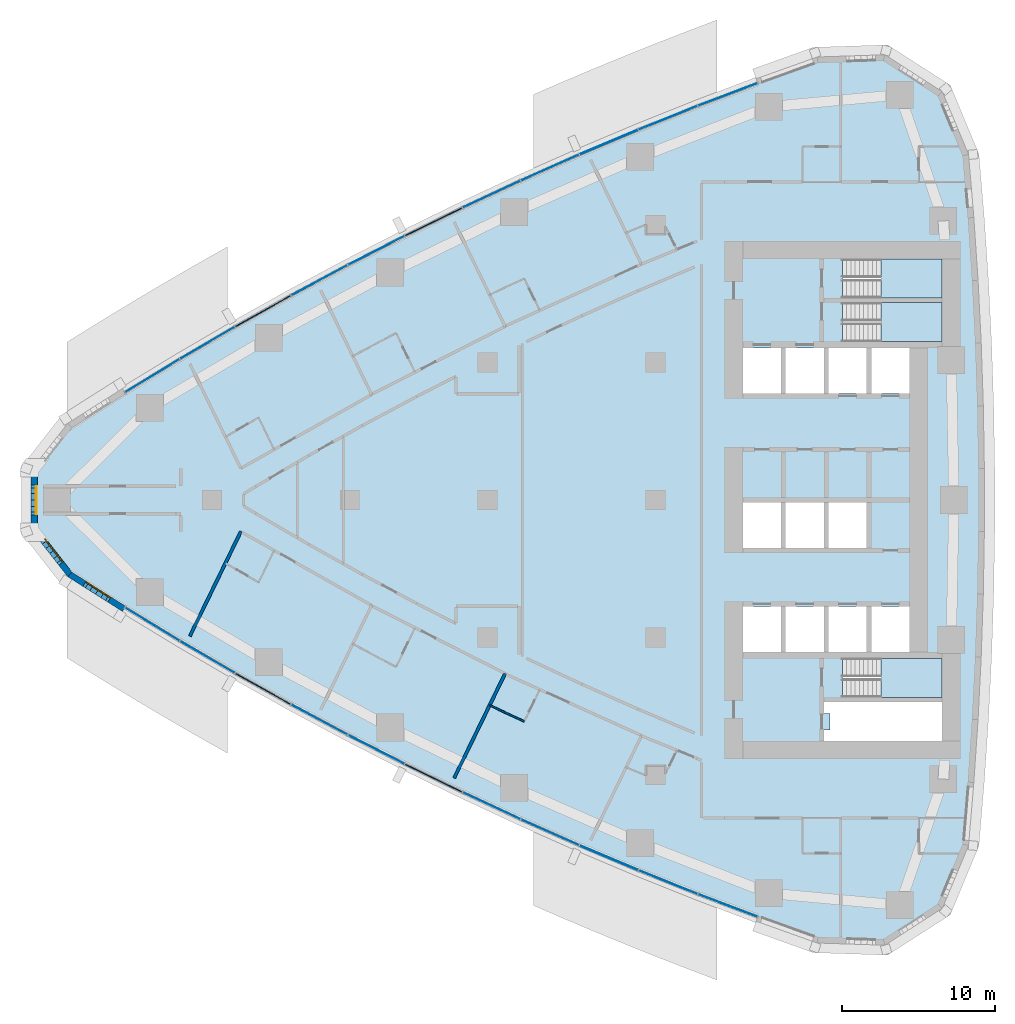
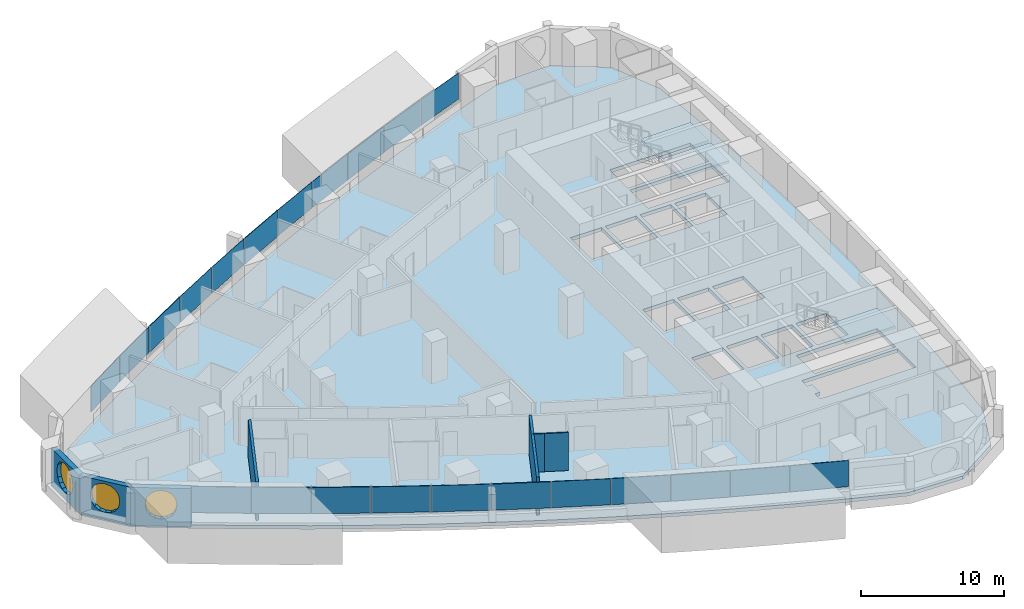
# One storey, part 8 of 18: 22 plates, 7 walls, 4 slabs, 3 windows, 4 openings, 13 elements without a shape of their own.
"""IFC4 building model written with IfcOpenShell, lengths in metres."""

from ifc_helpers import new_model, si_unit, direction, frame, frame_2d, origin, origin_2d, place, context, subcontext, project, spatial, polyline, rectangle, outline, extrude, material, layer, layer_set, type_object, element, fill, aggregate, save


model = new_model("IFC4")

# Units and contexts
model_context = context("Model", 3, precision=1e-05, world=origin(), true_north=direction((0.0, 1.0)))
body_context = subcontext(model_context, "Body", "Model", "MODEL_VIEW")
ifc_project = project(units=[si_unit("LENGTHUNIT", "METRE"), si_unit("AREAUNIT", "SQUARE_METRE"), si_unit("VOLUMEUNIT", "CUBIC_METRE"), si_unit("PLANEANGLEUNIT", "RADIAN"), si_unit("MASSUNIT", "GRAM", prefix="KILO")], contexts=[model_context])

# Site, building, storey
site_placement = place(None, origin())
site = spatial("IfcSite", under=ifc_project, at=site_placement, CompositionType="ELEMENT")
building_placement = place(site_placement, origin())
building = spatial("IfcBuilding", under=site, at=building_placement, Name="Ostrand Prow Hotel Tower", CompositionType="ELEMENT")
storey_placement = place(building_placement, frame((0.0, 0.0, 57.35009765625)))
storey = spatial("IfcBuildingStorey", under=building, at=storey_placement, Name="L12", CompositionType="ELEMENT", Elevation=57.35009765625)

# Curtain wall, plates
ifc_material_1 = material(Name="Insulated glass in bronze anodised frame", Category="glass")
ifc_layer_1 = layer(ifc_material_1, 0.199951171875)
ifc_layer_set_1 = layer_set([ifc_layer_1], Name="Insulated glass in bronze anodised frame")
curtain_wall_type = type_object("IfcCurtainWallType", Name="Strip curtain wall, fritted glass over bronze spandrel", PredefinedType="NOTDEFINED", material=ifc_layer_set_1)
curtain_wall_1_placement = place(storey_placement, origin())
curtain_wall_1 = element("IfcCurtainWall", 1, at=curtain_wall_1_placement, inside=storey, type_object=curtain_wall_type, Name="CW1 run CWS1", PredefinedType="NOTDEFINED")
ifc_material_2 = material(Name="Ceramic-fritted glass", Category="glass")
ifc_layer_2 = layer(ifc_material_2, 0.031982421875)
ifc_layer_set_2 = layer_set([ifc_layer_2], Name="Ceramic-fritted glass")
plate_type_1 = type_object("IfcPlateType", Name="Dot-fritted ceramic glass unit 32 mm", PredefinedType="CURTAIN_PANEL", material=ifc_layer_set_2)
plate_1_placement = place(storey_placement, frame((12.0859375, -8.12158203125, 1.02001953125), z_axis=(0.0, 0.0, 1.0), x_axis=(0.854269266322, -0.519830761515, 0.0)))
plate_1 = element("IfcPlate", 2, at=plate_1_placement, type_object=plate_type_1, Name="CW1 PN-D panel 1.2", PredefinedType="CURTAIN_PANEL", context=body_context, shape_type="SweptSolid", body=[
    extrude(rectangle(XDim=4.13427734375, YDim=0.031982421875, at=origin_2d()), origin(), (0.0, 0.0, 1.0), 2.22998046875),
])
plate_2_placement = place(storey_placement, frame((15.688720703125, -10.268798828125, 1.02001953125), z_axis=(0.0, 0.0, 1.0), x_axis=(0.863690392896, -0.50402272292, 0.0)))
plate_2 = element("IfcPlate", 3, at=plate_2_placement, type_object=plate_type_1, Name="CW1 PN-D panel 2.2", PredefinedType="CURTAIN_PANEL", context=body_context, shape_type="SweptSolid", body=[
    extrude(rectangle(XDim=4.13427734375, YDim=0.031982421875, at=origin_2d()), origin(), (0.0, 0.0, 1.0), 2.22998046875),
])
aggregate(curtain_wall_1, [plate_1, plate_2])

curtain_wall_2_placement = place(storey_placement, origin())
curtain_wall_2 = element("IfcCurtainWall", 4, at=curtain_wall_2_placement, inside=storey, type_object=curtain_wall_type, Name="CW1 run CWS2", PredefinedType="NOTDEFINED")
plate_3_placement = place(storey_placement, frame((23.009765625, -14.362548828125, 1.02001953125), z_axis=(0.0, 0.0, 1.0), x_axis=(0.881652083929, -0.471899992481, 0.0)))
plate_3 = element("IfcPlate", 5, at=plate_3_placement, type_object=plate_type_1, Name="CW1 PN-D panel 2.2", PredefinedType="CURTAIN_PANEL", context=body_context, shape_type="SweptSolid", body=[
    extrude(rectangle(XDim=4.13427734375, YDim=0.031982421875, at=origin_2d()), origin(), (0.0, 0.0, 1.0), 2.22998046875),
])
plate_4_placement = place(storey_placement, frame((26.7255859375, -16.3076171875, 1.02001953125), z_axis=(0.0, 0.0, 1.0), x_axis=(0.890186565631, -0.455596179055, 0.0)))
plate_4 = element("IfcPlate", 6, at=plate_4_placement, type_object=plate_type_1, Name="CW1 PN-D panel 3.2", PredefinedType="CURTAIN_PANEL", context=body_context, shape_type="SweptSolid", body=[
    extrude(rectangle(XDim=4.13427734375, YDim=0.031982421875, at=origin_2d()), origin(), (0.0, 0.0, 1.0), 2.22998046875),
])

# Curtain wall, plate
curtain_wall_3_placement = place(storey_placement, origin())
curtain_wall_3 = element("IfcCurtainWall", 7, at=curtain_wall_3_placement, inside=storey, type_object=curtain_wall_type, Name="CW1 run CWS3", PredefinedType="NOTDEFINED")
plate_5_placement = place(storey_placement, frame((34.26123046875, -19.990966796875, 1.02001953125), z_axis=(0.0, 0.0, 1.0), x_axis=(0.906349088757, -0.422529678615, 0.0)))
plate_5 = element("IfcPlate", 8, at=plate_5_placement, type_object=plate_type_1, Name="CW1 PN-D panel 2.2", PredefinedType="CURTAIN_PANEL", context=body_context, shape_type="SweptSolid", body=[
    extrude(rectangle(XDim=4.13427734375, YDim=0.031982421875, at=origin_2d()), origin(), (0.0, 0.0, 1.0), 2.22998046875),
])

curtain_wall_4_placement = place(storey_placement, origin())
curtain_wall_4 = element("IfcCurtainWall", 9, at=curtain_wall_4_placement, inside=storey, type_object=curtain_wall_type, Name="CW1 run CWS4", PredefinedType="NOTDEFINED")
plate_6_placement = place(storey_placement, frame((38.078857421875, -21.72802734375, 1.02001953125), z_axis=(0.0, 0.0, 1.0), x_axis=(0.913970890274, -0.405779757666, 0.0)))
plate_6 = element("IfcPlate", 10, at=plate_6_placement, type_object=plate_type_1, Name="CW1 PN-D panel 1.2", PredefinedType="CURTAIN_PANEL", context=body_context, shape_type="SweptSolid", body=[
    extrude(rectangle(XDim=4.13427734375, YDim=0.031982421875, at=origin_2d()), origin(), (0.0, 0.0, 1.0), 2.22998046875),
])

# Curtain wall, plates
curtain_wall_5_placement = place(storey_placement, origin())
curtain_wall_5 = element("IfcCurtainWall", 11, at=curtain_wall_5_placement, inside=storey, type_object=curtain_wall_type, Name="CW1 run CWS5", PredefinedType="NOTDEFINED")
plate_7_placement = place(storey_placement, frame((45.806396484375, -24.989990234375, 1.02001953125), z_axis=(0.0, 0.0, 1.0), x_axis=(0.928283463577, -0.371873380669, 0.0)))
plate_7 = element("IfcPlate", 12, at=plate_7_placement, type_object=plate_type_1, Name="CW1 PN-D panel 1.2", PredefinedType="CURTAIN_PANEL", context=body_context, shape_type="SweptSolid", body=[
    extrude(rectangle(XDim=4.13427734375, YDim=0.031982421875, at=origin_2d()), origin(), (0.0, 0.0, 1.0), 2.22998046875),
])
plate_8_placement = place(storey_placement, frame((49.7138671875, -26.513671875, 1.02001953125), z_axis=(0.0, 0.0, 1.0), x_axis=(0.934969388384, -0.354728407072, 0.0)))
plate_8 = element("IfcPlate", 13, at=plate_8_placement, type_object=plate_type_1, Name="CW1 PN-D panel 2.2", PredefinedType="CURTAIN_PANEL", context=body_context, shape_type="SweptSolid", body=[
    extrude(rectangle(XDim=4.13427734375, YDim=0.031982421875, at=origin_2d()), origin(), (0.0, 0.0, 1.0), 2.22998046875),
])
aggregate(curtain_wall_5, [plate_7, plate_8])

curtain_wall_6_placement = place(storey_placement, origin())
curtain_wall_6 = element("IfcCurtainWall", 14, at=curtain_wall_6_placement, inside=storey, type_object=curtain_wall_type, Name="CW1 run CWN1", PredefinedType="NOTDEFINED")
plate_9_placement = place(storey_placement, frame((49.7138671875, 26.513671875, 1.02001953125), z_axis=(0.0, 0.0, 1.0), x_axis=(-0.934969388384, -0.354728407072, 0.0)))
plate_9 = element("IfcPlate", 15, at=plate_9_placement, type_object=plate_type_1, Name="CW1 PN-D panel 1.2", PredefinedType="CURTAIN_PANEL", context=body_context, shape_type="SweptSolid", body=[
    extrude(rectangle(XDim=4.13427734375, YDim=0.031982421875, at=origin_2d()), origin(), (0.0, 0.0, 1.0), 2.22998046875),
])
plate_10_placement = place(storey_placement, frame((45.806396484375, 24.989990234375, 1.02001953125), z_axis=(0.0, 0.0, 1.0), x_axis=(-0.928283463577, -0.371873380669, 0.0)))
plate_10 = element("IfcPlate", 16, at=plate_10_placement, type_object=plate_type_1, Name="CW1 PN-D panel 2.2", PredefinedType="CURTAIN_PANEL", context=body_context, shape_type="SweptSolid", body=[
    extrude(rectangle(XDim=4.13427734375, YDim=0.031982421875, at=origin_2d()), origin(), (0.0, 0.0, 1.0), 2.22998046875),
])
aggregate(curtain_wall_6, [plate_9, plate_10])

# Curtain wall, plate
curtain_wall_7_placement = place(storey_placement, origin())
curtain_wall_7 = element("IfcCurtainWall", 17, at=curtain_wall_7_placement, inside=storey, type_object=curtain_wall_type, Name="CW1 run CWN2", PredefinedType="NOTDEFINED")
plate_11_placement = place(storey_placement, frame((38.078857421875, 21.72802734375, 1.02001953125), z_axis=(0.0, 0.0, 1.0), x_axis=(-0.913970890274, -0.405779757666, 0.0)))
plate_11 = element("IfcPlate", 18, at=plate_11_placement, type_object=plate_type_1, Name="CW1 PN-D panel 2.2", PredefinedType="CURTAIN_PANEL", context=body_context, shape_type="SweptSolid", body=[
    extrude(rectangle(XDim=4.13427734375, YDim=0.031982421875, at=origin_2d()), origin(), (0.0, 0.0, 1.0), 2.22998046875),
])

curtain_wall_8_placement = place(storey_placement, origin())
curtain_wall_8 = element("IfcCurtainWall", 19, at=curtain_wall_8_placement, inside=storey, type_object=curtain_wall_type, Name="CW1 run CWN3", PredefinedType="NOTDEFINED")
plate_12_placement = place(storey_placement, frame((34.26123046875, 19.990966796875, 1.02001953125), z_axis=(0.0, 0.0, 1.0), x_axis=(-0.906349088757, -0.422529678615, 0.0)))
plate_12 = element("IfcPlate", 20, at=plate_12_placement, type_object=plate_type_1, Name="CW1 PN-D panel 1.2", PredefinedType="CURTAIN_PANEL", context=body_context, shape_type="SweptSolid", body=[
    extrude(rectangle(XDim=4.13427734375, YDim=0.031982421875, at=origin_2d()), origin(), (0.0, 0.0, 1.0), 2.22998046875),
])

# Curtain wall, plates
curtain_wall_9_placement = place(storey_placement, origin())
curtain_wall_9 = element("IfcCurtainWall", 21, at=curtain_wall_9_placement, inside=storey, type_object=curtain_wall_type, Name="CW1 run CWN4", PredefinedType="NOTDEFINED")
plate_13_placement = place(storey_placement, frame((26.7255859375, 16.3076171875, 1.02001953125), z_axis=(0.0, 0.0, 1.0), x_axis=(-0.890186565631, -0.455596179055, 0.0)))
plate_13 = element("IfcPlate", 22, at=plate_13_placement, type_object=plate_type_1, Name="CW1 PN-D panel 1.2", PredefinedType="CURTAIN_PANEL", context=body_context, shape_type="SweptSolid", body=[
    extrude(rectangle(XDim=4.13427734375, YDim=0.031982421875, at=origin_2d()), origin(), (0.0, 0.0, 1.0), 2.22998046875),
])
plate_14_placement = place(storey_placement, frame((23.009765625, 14.362548828125, 1.02001953125), z_axis=(0.0, 0.0, 1.0), x_axis=(-0.881652083929, -0.471899992481, 0.0)))
plate_14 = element("IfcPlate", 23, at=plate_14_placement, type_object=plate_type_1, Name="CW1 PN-D panel 2.2", PredefinedType="CURTAIN_PANEL", context=body_context, shape_type="SweptSolid", body=[
    extrude(rectangle(XDim=4.13427734375, YDim=0.031982421875, at=origin_2d()), origin(), (0.0, 0.0, 1.0), 2.22998046875),
])

curtain_wall_10_placement = place(storey_placement, origin())
curtain_wall_10 = element("IfcCurtainWall", 24, at=curtain_wall_10_placement, inside=storey, type_object=curtain_wall_type, Name="CW1 run CWN5", PredefinedType="NOTDEFINED")
plate_15_placement = place(storey_placement, frame((15.688720703125, 10.268798828125, 1.02001953125), z_axis=(0.0, 0.0, 1.0), x_axis=(-0.863690392896, -0.50402272292, 0.0)))
plate_15 = element("IfcPlate", 25, at=plate_15_placement, type_object=plate_type_1, Name="CW1 PN-D panel 1.2", PredefinedType="CURTAIN_PANEL", context=body_context, shape_type="SweptSolid", body=[
    extrude(rectangle(XDim=4.13427734375, YDim=0.031982421875, at=origin_2d()), origin(), (0.0, 0.0, 1.0), 2.22998046875),
])
plate_16_placement = place(storey_placement, frame((12.0859375, 8.12158203125, 1.02001953125), z_axis=(0.0, 0.0, 1.0), x_axis=(-0.854269266322, -0.519830761515, 0.0)))
plate_16 = element("IfcPlate", 26, at=plate_16_placement, type_object=plate_type_1, Name="CW1 PN-D panel 2.2", PredefinedType="CURTAIN_PANEL", context=body_context, shape_type="SweptSolid", body=[
    extrude(rectangle(XDim=4.13427734375, YDim=0.031982421875, at=origin_2d()), origin(), (0.0, 0.0, 1.0), 2.22998046875),
])
aggregate(curtain_wall_10, [plate_15, plate_16])

# Plate
ifc_material_3 = material(Name="Fritted glass in bronze vent frame", Category="glass")
ifc_layer_3 = layer(ifc_material_3, 0.06005859375)
ifc_layer_set_3 = layer_set([ifc_layer_3], Name="Fritted glass in bronze vent frame")
plate_type_2 = type_object("IfcPlateType", Name="Operable vent panel 60 mm", PredefinedType="CURTAIN_PANEL", material=ifc_layer_set_3)
plate_17_placement = place(storey_placement, frame((19.33056640625, -12.349365234375, 1.02001953125), z_axis=(0.0, 0.0, 1.0), x_axis=(0.872819029241, -0.488043996167, 0.0)))
plate_17 = element("IfcPlate", 27, at=plate_17_placement, type_object=plate_type_2, Name="CW1 PN-O panel 1.2", PredefinedType="CURTAIN_PANEL", context=body_context, shape_type="SweptSolid", body=[
    extrude(rectangle(XDim=4.13427734375, YDim=0.06005859375, at=origin_2d()), origin(), (0.0, 0.0, 1.0), 2.22998046875),
])

aggregate(curtain_wall_2, [plate_17, plate_3, plate_4])

plate_18_placement = place(storey_placement, frame((30.4765625, -18.183837890625, 1.02001953125), z_axis=(0.0, 0.0, 1.0), x_axis=(0.898419584131, -0.439138077204, 0.0)))
plate_18 = element("IfcPlate", 28, at=plate_18_placement, type_object=plate_type_2, Name="CW1 PN-O panel 1.2", PredefinedType="CURTAIN_PANEL", context=body_context, shape_type="SweptSolid", body=[
    extrude(rectangle(XDim=4.13427734375, YDim=0.06005859375, at=origin_2d()), origin(), (0.0, 0.0, 1.0), 2.22998046875),
])

aggregate(curtain_wall_3, [plate_18, plate_5])

plate_19_placement = place(storey_placement, frame((41.927490234375, -23.39453125, 1.02001953125), z_axis=(0.0, 0.0, 1.0), x_axis=(0.921283173987, -0.388892418709, 0.0)))
plate_19 = element("IfcPlate", 29, at=plate_19_placement, type_object=plate_type_2, Name="CW1 PN-O panel 2.2", PredefinedType="CURTAIN_PANEL", context=body_context, shape_type="SweptSolid", body=[
    extrude(rectangle(XDim=4.13427734375, YDim=0.06005859375, at=origin_2d()), origin(), (0.0, 0.0, 1.0), 2.22998046875),
])

aggregate(curtain_wall_4, [plate_6, plate_19])

plate_20_placement = place(storey_placement, frame((41.927490234375, 23.39453125, 1.02001953125), z_axis=(0.0, 0.0, 1.0), x_axis=(-0.921283173987, -0.388892418709, 0.0)))
plate_20 = element("IfcPlate", 30, at=plate_20_placement, type_object=plate_type_2, Name="CW1 PN-O panel 1.2", PredefinedType="CURTAIN_PANEL", context=body_context, shape_type="SweptSolid", body=[
    extrude(rectangle(XDim=4.13427734375, YDim=0.06005859375, at=origin_2d()), origin(), (0.0, 0.0, 1.0), 2.22998046875),
])

aggregate(curtain_wall_7, [plate_20, plate_11])

plate_21_placement = place(storey_placement, frame((30.4765625, 18.183837890625, 1.02001953125), z_axis=(0.0, 0.0, 1.0), x_axis=(-0.898419584131, -0.439138077204, 0.0)))
plate_21 = element("IfcPlate", 31, at=plate_21_placement, type_object=plate_type_2, Name="CW1 PN-O panel 2.2", PredefinedType="CURTAIN_PANEL", context=body_context, shape_type="SweptSolid", body=[
    extrude(rectangle(XDim=4.13427734375, YDim=0.06005859375, at=origin_2d()), origin(), (0.0, 0.0, 1.0), 2.22998046875),
])

aggregate(curtain_wall_8, [plate_12, plate_21])

plate_22_placement = place(storey_placement, frame((19.33056640625, 12.349365234375, 1.02001953125), z_axis=(0.0, 0.0, 1.0), x_axis=(-0.872819029241, -0.488043996167, 0.0)))
plate_22 = element("IfcPlate", 32, at=plate_22_placement, type_object=plate_type_2, Name="CW1 PN-O panel 3.2", PredefinedType="CURTAIN_PANEL", context=body_context, shape_type="SweptSolid", body=[
    extrude(rectangle(XDim=4.13427734375, YDim=0.06005859375, at=origin_2d()), origin(), (0.0, 0.0, 1.0), 2.22998046875),
])

aggregate(curtain_wall_9, [plate_13, plate_14, plate_22])

# Slab, opening
ifc_material_4 = material(Name="Concrete C40/50", Category="concrete")
ifc_layer_4 = layer(ifc_material_4, 0.300048828125)
ifc_layer_set_4 = layer_set([ifc_layer_4], Name="Concrete C40/50")
slab_type_1 = type_object("IfcSlabType", Name="PT flat plate 300 C40/50", PredefinedType="FLOOR", material=ifc_layer_set_4)
slab_1_placement = place(storey_placement, frame((0.0, 0.0, -0.300048828125)))
slab_1 = element("IfcSlab", 33, at=slab_1_placement, inside=storey, type_object=slab_type_1, Name="Floor slab L12-1", PredefinedType="FLOOR", context=body_context, shape_type="SweptSolid", body=[
    extrude(outline(polyline([(6.690673828125, 4.805908203125), (10.26806640625, 7.073974609375), (13.851806640625, 9.2548828125), (17.47509765625, 11.369384765625), (21.136962890625, 13.416748046875), (24.83544921875, 15.396484375), (28.570068359375, 17.3076171875), (32.339111328125, 19.14990234375), (36.141357421875, 20.922607421875), (39.9755859375, 22.625), (43.840576171875, 24.25634765625), (47.73486328125, 25.81640625), (51.6572265625, 27.3046875), (55.64111328125, 28.73291015625), (59.92333984375, 28.873046875), (63.55908203125, 26.53369140625), (65.2060546875, 22.578369140625), (65.552978515625, 18.45166015625), (65.828369140625, 14.356689453125), (66.034912109375, 10.2578125), (66.172607421875, 6.15576171875), (66.241455078125, 2.052001953125), (66.241455078125, -2.052001953125), (66.172607421875, -6.15576171875), (66.034912109375, -10.2578125), (65.828369140625, -14.356689453125), (65.552978515625, -18.45166015625), (65.2060546875, -22.578369140625), (63.55908203125, -26.53369140625), (59.92333984375, -28.873046875), (55.64111328125, -28.73291015625), (51.6572265625, -27.3046875), (47.73486328125, -25.81640625), (43.840576171875, -24.25634765625), (39.9755859375, -22.625), (36.141357421875, -20.922607421875), (32.339111328125, -19.14990234375), (28.570068359375, -17.3076171875), (24.83544921875, -15.396484375), (21.136962890625, -13.416748046875), (17.47509765625, -11.369384765625), (13.851806640625, -9.2548828125), (10.26806640625, -7.073974609375), (6.690673828125, -4.805908203125), (4.399169921875, -1.8798828125), (4.399169921875, 1.8798828125), (6.690673828125, 4.805908203125)]), holes=[polyline([(50.699951171875, 6.949951171875), (53.199951171875, 6.949951171875), (53.199951171875, 9.949951171875), (50.699951171875, 9.949951171875), (50.699951171875, 6.949951171875)]), polyline([(53.5, 6.949951171875), (56.0, 6.949951171875), (56.0, 9.949951171875), (53.5, 9.949951171875), (53.5, 6.949951171875)]), polyline([(56.300048828125, 6.949951171875), (58.800048828125, 6.949951171875), (58.800048828125, 9.949951171875), (56.300048828125, 9.949951171875), (56.300048828125, 6.949951171875)]), polyline([(59.10009765625, 6.949951171875), (61.60009765625, 6.949951171875), (61.60009765625, 9.949951171875), (59.10009765625, 9.949951171875), (59.10009765625, 6.949951171875)]), polyline([(50.699951171875, -3.14990234375), (53.199951171875, -3.14990234375), (53.199951171875, -0.14990234375), (50.699951171875, -0.14990234375), (50.699951171875, -3.14990234375)]), polyline([(53.5, -3.14990234375), (56.0, -3.14990234375), (56.0, -0.14990234375), (53.5, -0.14990234375), (53.5, -3.14990234375)]), polyline([(56.300048828125, -3.14990234375), (58.800048828125, -3.14990234375), (58.800048828125, -0.14990234375), (56.300048828125, -0.14990234375), (56.300048828125, -3.14990234375)]), polyline([(50.699951171875, -9.949951171875), (53.199951171875, -9.949951171875), (53.199951171875, -6.949951171875), (50.699951171875, -6.949951171875), (50.699951171875, -9.949951171875)]), polyline([(53.5, -9.949951171875), (56.0, -9.949951171875), (56.0, -6.949951171875), (53.5, -6.949951171875), (53.5, -9.949951171875)]), polyline([(56.300048828125, -9.949951171875), (58.800048828125, -9.949951171875), (58.800048828125, -6.949951171875), (56.300048828125, -6.949951171875), (56.300048828125, -9.949951171875)]), polyline([(59.10009765625, -9.949951171875), (61.60009765625, -9.949951171875), (61.60009765625, -6.949951171875), (59.10009765625, -6.949951171875), (59.10009765625, -9.949951171875)]), polyline([(57.200927734375, 10.35107421875), (57.200927734375, 12.89892578125), (63.718994140625, 12.89892578125), (63.718994140625, 10.35107421875), (57.200927734375, 10.35107421875)]), polyline([(57.200927734375, 13.200927734375), (57.200927734375, 15.7490234375), (63.718994140625, 15.7490234375), (63.718994140625, 13.200927734375), (57.200927734375, 13.200927734375)]), polyline([(57.200927734375, -12.89892578125), (57.200927734375, -10.35107421875), (63.718994140625, -10.35107421875), (63.718994140625, -12.89892578125), (57.200927734375, -12.89892578125)]), polyline([(56.0, -13.199951171875), (63.719970703125, -13.199951171875), (63.719970703125, -15.75), (56.0, -15.75), (56.0, -15.050048828125), (56.39990234375, -15.050048828125), (56.39990234375, -13.949951171875), (56.0, -13.949951171875), (56.0, -13.199951171875)])]), origin(), (0.0, 0.0, 1.0), 0.300048828125),
])
opening_1_placement = place(slab_1_placement, origin())
element("IfcOpeningElement", 34, at=opening_1_placement, cuts=slab_1, Name="Shaft opening 1", PredefinedType="OPENING", context=body_context, shape_type="SweptSolid", body=[
    extrude(outline(polyline([(56.0, -13.199951171875), (63.719970703125, -13.199951171875), (63.719970703125, -15.75), (56.0, -15.75), (56.0, -15.050048828125), (56.39990234375, -15.050048828125), (56.39990234375, -13.949951171875), (56.0, -13.949951171875), (56.0, -13.199951171875)])), origin(), (0.0, 0.0, 1.0), 0.300048828125),
])

# Stair, slab
ifc_material_5 = material(Name="Concrete C40/50", Category="concrete")
stair_type = type_object("IfcStairType", Name="Exit stair 1200 upper zone", PredefinedType="HALF_TURN_STAIR", material=ifc_material_5)
stair_1_placement = place(storey_placement, origin())
stair_1 = element("IfcStair", 35, at=stair_1_placement, inside=storey, type_object=stair_type, Name="L12 ST1C", PredefinedType="HALF_TURN_STAIR")
ifc_material_6 = material(Name="Concrete C40/50", Category="concrete")
ifc_layer_5 = layer(ifc_material_6, 0.199951171875)
ifc_layer_set_5 = layer_set([ifc_layer_5], Name="Concrete C40/50")
slab_type_2 = type_object("IfcSlabType", Name="Stair landing 200 concrete", PredefinedType="LANDING", material=ifc_layer_set_5)
slab_2_placement = place(storey_placement, frame((0.0, 0.0, 1.574951171875)))
slab_2 = element("IfcSlab", 36, at=slab_2_placement, type_object=slab_type_2, Name="ST1C landing 1", PredefinedType="LANDING", context=body_context, shape_type="SweptSolid", body=[
    extrude(outline(polyline([(59.719970703125, 10.35009765625), (63.719970703125, 10.35009765625), (63.719970703125, 12.89990234375), (59.719970703125, 12.89990234375), (59.719970703125, 10.35009765625)])), origin(), (0.0, 0.0, 1.0), 0.199951171875),
])
aggregate(stair_1, [slab_2])

stair_2_placement = place(storey_placement, origin())
stair_2 = element("IfcStair", 37, at=stair_2_placement, inside=storey, type_object=stair_type, Name="L12 ST3C", PredefinedType="HALF_TURN_STAIR")
slab_3_placement = place(storey_placement, frame((0.0, 0.0, 1.574951171875)))
slab_3 = element("IfcSlab", 38, at=slab_3_placement, type_object=slab_type_2, Name="ST3C landing 1", PredefinedType="LANDING", context=body_context, shape_type="SweptSolid", body=[
    extrude(outline(polyline([(59.719970703125, 13.199951171875), (63.719970703125, 13.199951171875), (63.719970703125, 15.75), (59.719970703125, 15.75), (59.719970703125, 13.199951171875)])), origin(), (0.0, 0.0, 1.0), 0.199951171875),
])
aggregate(stair_2, [slab_3])

stair_3_placement = place(storey_placement, origin())
stair_3 = element("IfcStair", 39, at=stair_3_placement, inside=storey, type_object=stair_type, Name="L12 ST2C", PredefinedType="HALF_TURN_STAIR")
slab_4_placement = place(storey_placement, frame((0.0, 0.0, 1.574951171875)))
slab_4 = element("IfcSlab", 40, at=slab_4_placement, type_object=slab_type_2, Name="ST2C landing 1", PredefinedType="LANDING", context=body_context, shape_type="SweptSolid", body=[
    extrude(outline(polyline([(59.719970703125, -12.89990234375), (63.719970703125, -12.89990234375), (63.719970703125, -10.35009765625), (59.719970703125, -10.35009765625), (59.719970703125, -12.89990234375)])), origin(), (0.0, 0.0, 1.0), 0.199951171875),
])
aggregate(stair_3, [slab_4])

# Walls
ifc_material_7 = material(Name="Plasterboard partition")
ifc_layer_6 = layer(ifc_material_7, 0.10009765625)
ifc_layer_set_6 = layer_set([ifc_layer_6], Name="Plasterboard partition")
wall_type_1 = type_object("IfcWallType", Name="Partition 100 bathroom wall", PredefinedType="PARTITIONING", material=ifc_layer_set_6)
wall_1_placement = place(storey_placement, frame((36.407958984375, -14.48193359375, 0.0), z_axis=(0.0, 0.0, 1.0), x_axis=(-0.906434605418, 0.422346192242, 0.0)))
element("IfcWall", 41, at=wall_1_placement, inside=storey, type_object=wall_type_1, Name="BATHROOM WALL", PredefinedType="PARTITIONING", context=body_context, shape_type="SweptSolid", body=[
    extrude(rectangle(XDim=1.66064453125, YDim=0.10009765625, at=frame_2d((0.830322265625, 0.0))), origin(), (0.0, 0.0, 1.0), 3.25),
])
wall_2_placement = place(storey_placement, frame((34.902587890625, -13.780517578125, 0.0), z_axis=(0.0, 0.0, 1.0), x_axis=(-0.89828999443, 0.43940310184, 0.0)))
element("IfcWall", 42, at=wall_2_placement, inside=storey, type_object=wall_type_1, Name="BATHROOM WALL", PredefinedType="PARTITIONING", context=body_context, shape_type="SweptSolid", body=[
    extrude(rectangle(XDim=0.839599609375, YDim=0.10009765625, at=frame_2d((0.419921875, 0.0))), origin(), (0.0, 0.0, 1.0), 3.25),
])
ifc_material_8 = material(Name="Plasterboard partition")
ifc_layer_7 = layer(ifc_material_8, 0.199951171875)
ifc_layer_set_7 = layer_set([ifc_layer_7], Name="Plasterboard partition")
wall_type_2 = type_object("IfcWallType", Name="Partition 200 key partition", PredefinedType="PARTITIONING", material=ifc_layer_set_7)
wall_3_placement = place(storey_placement, frame((14.540771484375, -8.904296875, 0.0), z_axis=(0.0, 0.0, 1.0), x_axis=(0.438213564788, 0.898870887078, 0.0)))
element("IfcWall", 43, at=wall_3_placement, inside=storey, type_object=wall_type_2, Name="KEY PARTITION", PredefinedType="PARTITIONING", context=body_context, shape_type="SweptSolid", body=[
    extrude(rectangle(XDim=7.62548828125, YDim=0.199951171875, at=frame_2d((3.812744140625, 0.0))), origin(), (0.0, 0.0, 1.0), 3.25),
])
wall_4_placement = place(storey_placement, frame((31.825927734375, -18.17578125, 0.0), z_axis=(0.0, 0.0, 1.0), x_axis=(0.438196407286, 0.898879251425, 0.0)))
element("IfcWall", 44, at=wall_4_placement, inside=storey, type_object=wall_type_2, Name="KEY PARTITION", PredefinedType="PARTITIONING", context=body_context, shape_type="SweptSolid", body=[
    extrude(rectangle(XDim=7.60009765625, YDim=0.199951171875, at=frame_2d((3.800048828125, 0.0))), origin(), (0.0, 0.0, 1.0), 3.25),
])

# Wall, opening, window
ifc_material_9 = material(Name="Precast concrete C40/50", Category="concrete")
ifc_layer_8 = layer(ifc_material_9, 0.39990234375)
ifc_layer_set_8 = layer_set([ifc_layer_8], Name="Precast concrete C40/50")
wall_type_3 = type_object("IfcWallType", Name="Stone-faced precast wall 400 mm", PredefinedType="NOTDEFINED", material=ifc_layer_set_8)
wall_5_placement = place(storey_placement, frame((4.365478515625, 1.891357421875, 0.0), z_axis=(0.0, 0.0, 1.0), x_axis=(0.0, -1.0, 0.0)))
wall_5 = element("IfcWall", 45, at=wall_5_placement, inside=storey, type_object=wall_type_3, Name="Stone-faced wall prow 3", PredefinedType="NOTDEFINED", context=body_context, shape_type="SweptSolid", body=[
    extrude(outline(polyline([(-0.069091796875, -0.199951171875), (3.851806640625, -0.199951171875), (3.713623046875, 0.199951171875), (0.069091796875, 0.199951171875), (-0.069091796875, -0.199951171875)])), origin(), (0.0, 0.0, 1.0), 3.25),
])
opening_2_placement = place(wall_5_placement, frame((0.79150390625, 0.0, 0.60009765625)))
opening_2 = element("IfcOpeningElement", 46, at=opening_2_placement, cuts=wall_5, Name="Opening WP1", PredefinedType="OPENING", context=body_context, shape_type="SweptSolid", body=[
    extrude(outline(polyline([(0.0, 1.35009765625), (0.083740234375, 1.77099609375), (0.322265625, 2.127685546875), (0.678955078125, 2.3662109375), (1.10009765625, 2.449951171875), (1.52099609375, 2.3662109375), (1.877685546875, 2.127685546875), (2.1162109375, 1.77099609375), (2.199951171875, 1.35009765625), (2.199951171875, 1.10009765625), (2.1162109375, 0.678955078125), (1.877685546875, 0.322265625), (1.52099609375, 0.083740234375), (1.10009765625, 0.0), (0.678955078125, 0.083740234375), (0.322265625, 0.322265625), (0.083740234375, 0.678955078125), (0.0, 1.099853515625), (0.0, 1.35009765625)])), frame((0.0, 0.2099609375, 0.0), z_axis=(0.0, -1.0, 0.0), x_axis=(1.0, 0.0, 0.0)), (0.0, 0.0, 1.0), 0.419921875),
])
ifc_material_10 = material(Name="Insulated glass in bronze frame", Category="glass")
window_type = type_object("IfcWindowType", Name="Round-ended prow window 2200x2450", PartitioningType="SINGLE_PANEL", PredefinedType="WINDOW", material=ifc_material_10)
window_1_placement = place(opening_2_placement, origin())
window_1 = element("IfcWindow", 47, at=window_1_placement, inside=storey, type_object=window_type, Name="Window prow 3.1", OverallHeight=2.449951171875, OverallWidth=2.199951171875, PartitioningType="SINGLE_PANEL", PredefinedType="WINDOW", context=body_context, shape_type="SweptSolid", body=[
    extrude(outline(polyline([(0.0, 1.35009765625), (0.083740234375, 1.77099609375), (0.322265625, 2.127685546875), (0.678955078125, 2.3662109375), (1.10009765625, 2.449951171875), (1.52099609375, 2.3662109375), (1.877685546875, 2.127685546875), (2.1162109375, 1.77099609375), (2.199951171875, 1.35009765625), (2.199951171875, 1.10009765625), (2.1162109375, 0.678955078125), (1.877685546875, 0.322265625), (1.52099609375, 0.083740234375), (1.10009765625, 0.0), (0.678955078125, 0.083740234375), (0.322265625, 0.322265625), (0.083740234375, 0.678955078125), (0.0, 1.099853515625), (0.0, 1.35009765625)])), frame((0.0, 0.169921875, 0.0), z_axis=(0.0, -1.0, 0.0), x_axis=(1.0, 0.0, 0.0)), (0.0, 0.0, 1.0), 0.06005859375),
])
fill(opening_2, window_1)

wall_6_placement = place(storey_placement, frame((4.365478515625, -1.891357421875, 0.0), z_axis=(0.0, 0.0, 1.0), x_axis=(0.616586647779, -0.787287054245, 0.0)))
wall_6 = element("IfcWall", 48, at=wall_6_placement, inside=storey, type_object=wall_type_3, Name="Stone-faced wall prow 4", PredefinedType="NOTDEFINED", context=body_context, shape_type="SweptSolid", body=[
    extrude(outline(polyline([(-0.069091796875, -0.199951171875), (3.8173828125, -0.199951171875), (3.74853515625, 0.199951171875), (0.069091796875, 0.199951171875), (-0.069091796875, -0.199951171875)])), origin(), (0.0, 0.0, 1.0), 3.25),
])
opening_3_placement = place(wall_6_placement, frame((0.79150390625, 0.0, 0.60009765625)))
opening_3 = element("IfcOpeningElement", 49, at=opening_3_placement, cuts=wall_6, Name="Opening WP1", PredefinedType="OPENING", context=body_context, shape_type="SweptSolid", body=[
    extrude(outline(polyline([(0.0, 1.35009765625), (0.083740234375, 1.77099609375), (0.322265625, 2.127685546875), (0.678955078125, 2.3662109375), (1.10009765625, 2.449951171875), (1.52099609375, 2.3662109375), (1.877685546875, 2.127685546875), (2.1162109375, 1.77099609375), (2.199951171875, 1.35009765625), (2.199951171875, 1.10009765625), (2.1162109375, 0.678955078125), (1.877685546875, 0.322265625), (1.52099609375, 0.083740234375), (1.10009765625, 0.0), (0.678955078125, 0.083740234375), (0.322265625, 0.322265625), (0.083740234375, 0.678955078125), (0.0, 1.099853515625), (0.0, 1.35009765625)])), frame((0.0, 0.2099609375, 0.0), z_axis=(0.0, -1.0, 0.0), x_axis=(1.0, 0.0, 0.0)), (0.0, 0.0, 1.0), 0.419921875),
])
window_2_placement = place(opening_3_placement, origin())
window_2 = element("IfcWindow", 50, at=window_2_placement, inside=storey, type_object=window_type, Name="Window prow 4.1", OverallHeight=2.449951171875, OverallWidth=2.199951171875, PartitioningType="SINGLE_PANEL", PredefinedType="WINDOW", context=body_context, shape_type="SweptSolid", body=[
    extrude(outline(polyline([(0.0, 1.35009765625), (0.083740234375, 1.77099609375), (0.322265625, 2.127685546875), (0.678955078125, 2.3662109375), (1.10009765625, 2.449951171875), (1.52099609375, 2.3662109375), (1.877685546875, 2.127685546875), (2.1162109375, 1.77099609375), (2.199951171875, 1.35009765625), (2.199951171875, 1.10009765625), (2.1162109375, 0.678955078125), (1.877685546875, 0.322265625), (1.52099609375, 0.083740234375), (1.10009765625, 0.0), (0.678955078125, 0.083740234375), (0.322265625, 0.322265625), (0.083740234375, 0.678955078125), (0.0, 1.099853515625), (0.0, 1.35009765625)])), frame((0.0, 0.169921875, 0.0), z_axis=(0.0, -1.0, 0.0), x_axis=(1.0, 0.0, 0.0)), (0.0, 0.0, 1.0), 0.06005859375),
])
fill(opening_3, window_2)

wall_7_placement = place(storey_placement, frame((6.697998046875, -4.86962890625, 0.0), z_axis=(0.0, 0.0, 1.0), x_axis=(0.844551578623, -0.535474211372, 0.0)))
wall_7 = element("IfcWall", 51, at=wall_7_placement, inside=storey, type_object=wall_type_3, Name="Stone-faced wall prow 5", PredefinedType="NOTDEFINED", context=body_context, shape_type="SweptSolid", body=[
    extrude(outline(polyline([(-0.034423828125, -0.199951171875), (4.196044921875, -0.199951171875), (4.196044921875, 0.199951171875), (0.034423828125, 0.199951171875), (-0.034423828125, -0.199951171875)])), origin(), (0.0, 0.0, 1.0), 3.25),
])
opening_4_placement = place(wall_7_placement, frame((0.998046875, 0.0, 0.60009765625)))
opening_4 = element("IfcOpeningElement", 52, at=opening_4_placement, cuts=wall_7, Name="Opening WP1", PredefinedType="OPENING", context=body_context, shape_type="SweptSolid", body=[
    extrude(outline(polyline([(0.0, 1.35009765625), (0.083740234375, 1.77099609375), (0.322265625, 2.127685546875), (0.678955078125, 2.3662109375), (1.10009765625, 2.449951171875), (1.52099609375, 2.3662109375), (1.877685546875, 2.127685546875), (2.1162109375, 1.77099609375), (2.199951171875, 1.35009765625), (2.199951171875, 1.10009765625), (2.1162109375, 0.678955078125), (1.877685546875, 0.322265625), (1.52099609375, 0.083740234375), (1.10009765625, 0.0), (0.678955078125, 0.083740234375), (0.322265625, 0.322265625), (0.083740234375, 0.678955078125), (0.0, 1.099853515625), (0.0, 1.35009765625)])), frame((0.0, 0.2099609375, 0.0), z_axis=(0.0, -1.0, 0.0), x_axis=(1.0, 0.0, 0.0)), (0.0, 0.0, 1.0), 0.419921875),
])
window_3_placement = place(opening_4_placement, origin())
window_3 = element("IfcWindow", 53, at=window_3_placement, inside=storey, type_object=window_type, Name="Window prow 5.1", OverallHeight=2.449951171875, OverallWidth=2.199951171875, PartitioningType="SINGLE_PANEL", PredefinedType="WINDOW", context=body_context, shape_type="SweptSolid", body=[
    extrude(outline(polyline([(0.0, 1.35009765625), (0.083740234375, 1.77099609375), (0.322265625, 2.127685546875), (0.678955078125, 2.3662109375), (1.10009765625, 2.449951171875), (1.52099609375, 2.3662109375), (1.877685546875, 2.127685546875), (2.1162109375, 1.77099609375), (2.199951171875, 1.35009765625), (2.199951171875, 1.10009765625), (2.1162109375, 0.678955078125), (1.877685546875, 0.322265625), (1.52099609375, 0.083740234375), (1.10009765625, 0.0), (0.678955078125, 0.083740234375), (0.322265625, 0.322265625), (0.083740234375, 0.678955078125), (0.0, 1.099853515625), (0.0, 1.35009765625)])), frame((0.0, 0.169921875, 0.0), z_axis=(0.0, -1.0, 0.0), x_axis=(1.0, 0.0, 0.0)), (0.0, 0.0, 1.0), 0.06005859375),
])
fill(opening_4, window_3)

save(model, "model.ifc")
